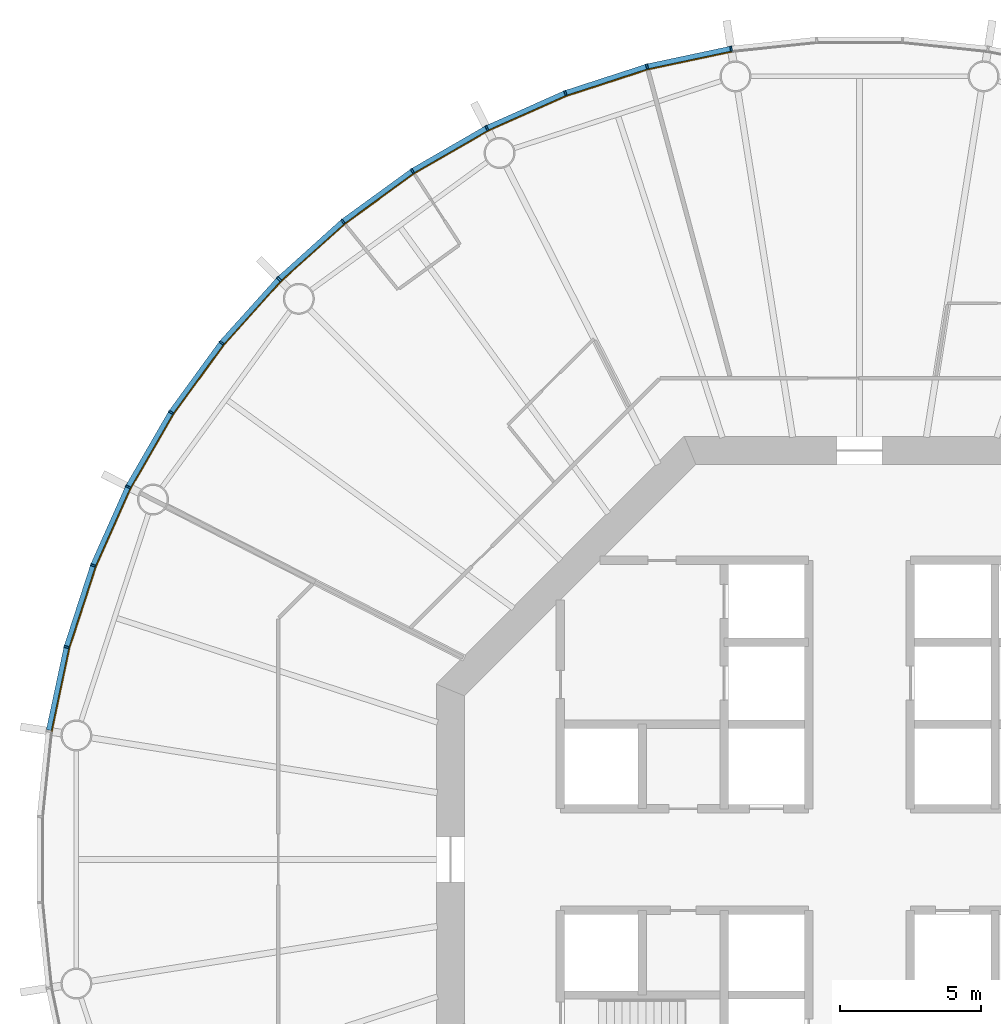
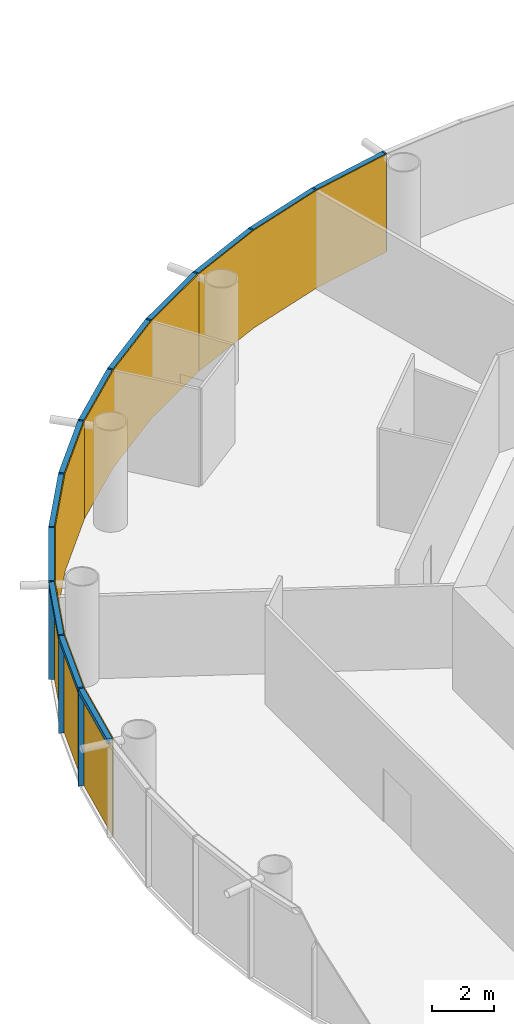
# One storey, part 9 of 12: 24 members, 4 curtain walls.
"""IFC4 building model written with IfcOpenShell, lengths in metres."""

import ifcopenshell
import ifcopenshell.guid

model = None  # the IFC model being written
_history = None  # IfcOwnerHistory: only IFC2X3 demands one
_inside = {}  # id of a spatial element -> (the spatial element, [elements in it])
_under = {}  # id of a project, library or spatial element -> (it, [spatial elements below it])
_declared = {}  # id of a project -> (the project, [libraries it declares])
_typed = {}  # id of a type object -> (the type object, [elements of that type])
_made_of = {}  # id of a material, layer set ... -> (it, [elements and type objects made of it])


def new_model(schema):
    """Start an empty IFC model of exactly this schema.

    Asked for "IFC4X3", IfcOpenShell would pick the latest addendum, in which some entities
    have other attributes; the version numbers below select the first issue.
    IFC2X3 requires an IfcOwnerHistory on every rooted entity: one is made here for all.
    """
    global model, _history
    if schema == "IFC4X3":
        model = ifcopenshell.file(schema_version=(4, 3, 0, 0))
    else:
        model = ifcopenshell.file(schema=schema)
    _inside.clear()
    _under.clear()
    _declared.clear()
    _typed.clear()
    _made_of.clear()
    _history = None
    if model.schema == "IFC2X3":
        org = make("IfcOrganization", Name="unknown")
        user = make(
            "IfcPersonAndOrganization",
            ThePerson=make("IfcPerson", FamilyName="unknown"),
            TheOrganization=org,
        )
        app = make(
            "IfcApplication",
            ApplicationDeveloper=org,
            Version="unknown",
            ApplicationFullName="unknown",
            ApplicationIdentifier="unknown",
        )
        _history = make(
            "IfcOwnerHistory",
            OwningUser=user,
            OwningApplication=app,
            ChangeAction="ADDED",
            CreationDate=0,
        )
    return model


def make(cls, **values):
    """One entity of the class cls with the attributes given. An attribute that is None is left unset."""
    return model.create_entity(
        cls, **{name: value for name, value in values.items() if value is not None}
    )


def rooted(cls, **values):
    """An entity with a GlobalId (a new one), such as an element, a storey or a relation."""
    return make(cls, GlobalId=ifcopenshell.guid.new(), OwnerHistory=_history, **values)


def si_unit(unit_type, name, prefix=None):
    """IfcSIUnit, for example si_unit("LENGTHUNIT", "METRE", prefix="MILLI")."""
    return make("IfcSIUnit", UnitType=unit_type, Prefix=prefix, Name=name)


def assignment(units):
    """IfcUnitAssignment: the units of a project."""
    return None if units is None else make("IfcUnitAssignment", Units=units)


def point(xyz):
    """IfcCartesianPoint."""
    return None if xyz is None else make("IfcCartesianPoint", Coordinates=xyz)


def direction(xyz):
    """IfcDirection."""
    return None if xyz is None else make("IfcDirection", DirectionRatios=xyz)


def frame(location, z_axis=None, x_axis=None):
    """IfcAxis2Placement3D, a coordinate frame: its origin and axes. An axis left out is left unset."""
    return make(
        "IfcAxis2Placement3D",
        Location=point(location),
        Axis=direction(z_axis),
        RefDirection=direction(x_axis),
    )


def frame_2d(location, x_axis=None):
    """IfcAxis2Placement2D, a coordinate frame in the plane: its origin and x axis."""
    return make(
        "IfcAxis2Placement2D", Location=point(location), RefDirection=direction(x_axis)
    )


def origin():
    """The frame at (0, 0, 0) with its axes left unset."""
    return frame((0.0, 0.0, 0.0))


def origin_2d():
    """The frame at (0, 0) in the plane with its x axis left unset."""
    return frame_2d((0.0, 0.0))


def place(relative_to, where):
    """IfcLocalPlacement: puts the frame where relative to a parent placement (None: the world)."""
    return make(
        "IfcLocalPlacement", PlacementRelTo=relative_to, RelativePlacement=where
    )


def context(
    kind, dimensions, precision=None, world=None, true_north=None, identifier=None
):
    """IfcGeometricRepresentationContext, for example the 3D "Model" context."""
    return make(
        "IfcGeometricRepresentationContext",
        ContextIdentifier=identifier,
        ContextType=kind,
        CoordinateSpaceDimension=dimensions,
        Precision=precision,
        WorldCoordinateSystem=world,
        TrueNorth=true_north,
    )


def subcontext(parent, identifier, kind, view, scale=None):
    """IfcGeometricRepresentationSubContext, for example "Body" below "Model"."""
    return make(
        "IfcGeometricRepresentationSubContext",
        ContextIdentifier=identifier,
        ContextType=kind,
        ParentContext=parent,
        TargetScale=scale,
        TargetView=view,
    )


def project(units=None, contexts=None):
    """IfcProject with its units and contexts."""
    return rooted(
        "IfcProject",
        Name="project",
        RepresentationContexts=contexts,
        UnitsInContext=assignment(units),
    )


def spatial(cls, under=None, at=None, **own):
    """A site, building, storey or space (cls), placed at a placement, below another one or the project."""
    s = rooted(cls, ObjectPlacement=at, **own)
    if under is not None:
        _under.setdefault(under.id(), (under, []))[1].append(s)
    return s


def polyline(points):
    """IfcPolyline through the points."""
    return make("IfcPolyline", Points=[point(p) for p in points])


def profile(cls, at=None, kind="AREA", **sizes):
    """A parametric profile (cls). Its sizes go by their IFC names, for example OverallWidth=200.0."""
    return make(cls, ProfileType=kind, Position=at, **sizes)


def rectangle(**sizes):
    """IfcRectangleProfileDef."""
    return profile("IfcRectangleProfileDef", **sizes)


def outline(outer, holes=None, kind="AREA"):
    """IfcArbitraryClosedProfileDef: a profile drawn as a closed curve; with holes, ...WithVoids."""
    if holes is None:
        return make("IfcArbitraryClosedProfileDef", ProfileType=kind, OuterCurve=outer)
    return make(
        "IfcArbitraryProfileDefWithVoids",
        ProfileType=kind,
        OuterCurve=outer,
        InnerCurves=holes,
    )


def extrude(swept, where, along, depth):
    """IfcExtrudedAreaSolid: the profile swept, set in the frame where, extruded along a direction by depth."""
    return make(
        "IfcExtrudedAreaSolid",
        SweptArea=swept,
        Position=where,
        ExtrudedDirection=direction(along),
        Depth=depth,
    )


def shape(context_of_items, identifier, shape_type, items):
    """IfcShapeRepresentation: the items that make up one representation, for example the "Body"."""
    return make(
        "IfcShapeRepresentation",
        ContextOfItems=context_of_items,
        RepresentationIdentifier=identifier,
        RepresentationType=shape_type,
        Items=items,
    )


def material(Name=None, Category=None):
    """IfcMaterial."""
    return make("IfcMaterial", Name=Name, Category=Category)


def layer(
    of_material, thickness, ventilated=None, Name=None, Category=None, Priority=None
):
    """IfcMaterialLayer: one layer of a wall or slab, of a material (None: an air gap)."""
    return make(
        "IfcMaterialLayer",
        Material=of_material,
        LayerThickness=thickness,
        IsVentilated=ventilated,
        Name=Name,
        Category=Category,
        Priority=Priority,
    )


def layer_set(layers, Name=None):
    """IfcMaterialLayerSet."""
    return make("IfcMaterialLayerSet", MaterialLayers=layers, LayerSetName=Name)


def material_profile(
    of_material, cross_section, Name=None, Category=None, Priority=None
):
    """IfcMaterialProfile: a cross section and its material."""
    return make(
        "IfcMaterialProfile",
        Name=Name,
        Material=of_material,
        Profile=cross_section,
        Priority=Priority,
        Category=Category,
    )


def profile_set(profiles, Name=None, composite=None):
    """IfcMaterialProfileSet."""
    return make(
        "IfcMaterialProfileSet",
        Name=Name,
        MaterialProfiles=profiles,
        CompositeProfile=composite,
    )


def made_of(thing, what):
    """Note that an element or type object is made of a material, layer set ...; save() writes the relation."""
    if what is not None:
        _made_of.setdefault(what.id(), (what, []))[1].append(thing)
    return thing


def type_object(cls, material=None, **own):
    """A type object (cls), such as IfcWallType, which elements share."""
    return made_of(rooted(cls, **own), material)


def element(
    cls,
    number,
    at=None,
    inside=None,
    cuts=None,
    type_object=None,
    material=None,
    context=None,
    identifier="Body",
    shape_type=None,
    held_by="IfcProductDefinitionShape",
    body=None,
    shapes=None,
    **own,
):
    """One element of the class cls, such as IfcWall. Its Tag is "e" and its number.

    at: its placement. inside: the storey or other place that contains it. cuts: it is an
    opening in that element (IfcRelVoidsElement). A single representation is given by context,
    identifier, shape_type and body (its items); several are given by shapes. held_by: the class
    of the entity that holds the representations. save() writes the other relations.
    """
    e = rooted(cls, Tag="e%d" % number, ObjectPlacement=at, **own)
    if body is not None:
        shapes = [shape(context, identifier, shape_type, body)]
    if shapes is not None:
        e.Representation = make(held_by, Representations=shapes)
    if inside is not None:
        _inside.setdefault(inside.id(), (inside, []))[1].append(e)
    if cuts is not None:
        rooted(
            "IfcRelVoidsElement", RelatingBuildingElement=cuts, RelatedOpeningElement=e
        )
    if type_object is not None:
        _typed.setdefault(type_object.id(), (type_object, []))[1].append(e)
    return made_of(e, material)


def aggregate(whole, parts):
    """IfcRelAggregates: a whole, such as a stair, and the parts it consists of."""
    return rooted("IfcRelAggregates", RelatingObject=whole, RelatedObjects=parts)


def save(model, path):
    """Write the relations noted so far, then the file.

    IfcRelAggregates (storeys below a building ...), IfcRelContainedInSpatialStructure (elements
    in a storey), IfcRelDefinesByType, IfcRelAssociatesMaterial and IfcRelDeclares: one each for
    every whole, place, type object, material and project.
    """
    for whole, parts in _under.values():
        aggregate(whole, parts)
    for where, things in _inside.values():
        rooted(
            "IfcRelContainedInSpatialStructure",
            RelatedElements=things,
            RelatingStructure=where,
        )
    for kind, things in _typed.values():
        rooted("IfcRelDefinesByType", RelatedObjects=things, RelatingType=kind)
    for what, things in _made_of.values():
        rooted("IfcRelAssociatesMaterial", RelatedObjects=things, RelatingMaterial=what)
    for by, libraries in _declared.values():
        rooted("IfcRelDeclares", RelatingContext=by, RelatedDefinitions=libraries)
    model.write(path)


model = new_model("IFC4")

# Units and contexts
model_context = context("Model", 3, precision=1e-05, world=origin(), true_north=direction((0.0, 1.0)))
body_context = subcontext(model_context, "Body", "Model", "MODEL_VIEW")
ifc_project = project(units=[si_unit("LENGTHUNIT", "METRE"), si_unit("AREAUNIT", "SQUARE_METRE"), si_unit("VOLUMEUNIT", "CUBIC_METRE"), si_unit("PLANEANGLEUNIT", "RADIAN"), si_unit("MASSUNIT", "GRAM", prefix="KILO")], contexts=[model_context])

# Member
ifc_material_1 = material(Name="Anodised aluminium", Category="aluminium")
ifc_material_profile_1 = material_profile(ifc_material_1, rectangle(XDim=0.06494140625, YDim=0.18505859375, at=origin_2d()), Name="Mullion 65 x 185 mm anodised aluminium")
ifc_profile_set_1 = profile_set([ifc_material_profile_1], Name="Anodised aluminium")
member_type_1 = type_object("IfcMemberType", Name="Mullion 65 x 185 mm anodised aluminium", PredefinedType="MULLION", material=ifc_profile_set_1)
site_placement = place(None, origin())
building_placement = place(site_placement, origin())
storey_placement = place(building_placement, frame((0.0, 0.0, 196.0)))
member_1_placement = place(storey_placement, frame((85.448974609375, 108.734375, 0.0), z_axis=(0.0, 0.0, 1.0), x_axis=(-0.987688340595, -0.15643446504, 0.0)))
member_1 = element("IfcMember", 1, at=member_1_placement, type_object=member_type_1, Name="MULLION L45-15", PredefinedType="MULLION", context=body_context, shape_type="SweptSolid", body=[
    extrude(rectangle(XDim=0.06494140625, YDim=0.18505859375, at=origin_2d()), origin(), (0.0, 0.0, 1.0), 3.85009765625),
])

member_2_placement = place(storey_placement, frame((82.47021484375, 108.101318359375, 0.0), z_axis=(0.0, 0.0, 1.0), x_axis=(-0.965925826289, -0.258819045103, 0.0)))
member_2 = element("IfcMember", 2, at=member_2_placement, type_object=member_type_1, Name="MULLION L45-16", PredefinedType="MULLION", context=body_context, shape_type="SweptSolid", body=[
    extrude(rectangle(XDim=0.06494140625, YDim=0.18505859375, at=origin_2d()), origin(), (0.0, 0.0, 1.0), 3.85009765625),
])

member_3_placement = place(storey_placement, frame((79.57421875, 107.16015625, 0.0), z_axis=(0.0, 0.0, 1.0), x_axis=(-0.933580426497, -0.358367949545, 0.0)))
member_3 = element("IfcMember", 3, at=member_3_placement, type_object=member_type_1, Name="MULLION L45-17", PredefinedType="MULLION", context=body_context, shape_type="SweptSolid", body=[
    extrude(rectangle(XDim=0.06494140625, YDim=0.18505859375, at=origin_2d()), origin(), (0.0, 0.0, 1.0), 3.85009765625),
])

member_4_placement = place(storey_placement, frame((76.792236328125, 105.921630859375, 0.0), z_axis=(0.0, 0.0, 1.0), x_axis=(-0.891006524188, -0.45399049974, 0.0)))
member_4 = element("IfcMember", 4, at=member_4_placement, type_object=member_type_1, Name="MULLION L45-18", PredefinedType="MULLION", context=body_context, shape_type="SweptSolid", body=[
    extrude(rectangle(XDim=0.06494140625, YDim=0.18505859375, at=origin_2d()), origin(), (0.0, 0.0, 1.0), 3.85009765625),
])

member_5_placement = place(storey_placement, frame((74.155029296875, 104.39892578125, 0.0), z_axis=(0.0, 0.0, 1.0), x_axis=(-0.838670567945, -0.544639035015, 0.0)))
member_5 = element("IfcMember", 5, at=member_5_placement, type_object=member_type_1, Name="MULLION L45-19", PredefinedType="MULLION", context=body_context, shape_type="SweptSolid", body=[
    extrude(rectangle(XDim=0.06494140625, YDim=0.18505859375, at=origin_2d()), origin(), (0.0, 0.0, 1.0), 3.85009765625),
])

member_6_placement = place(storey_placement, frame((71.69140625, 102.609130859375, 0.0), z_axis=(0.0, 0.0, 1.0), x_axis=(-0.777145961457, -0.62932039105, 0.0)))
member_6 = element("IfcMember", 6, at=member_6_placement, type_object=member_type_1, Name="MULLION L45-20", PredefinedType="MULLION", context=body_context, shape_type="SweptSolid", body=[
    extrude(rectangle(XDim=0.06494140625, YDim=0.18505859375, at=origin_2d()), origin(), (0.0, 0.0, 1.0), 3.85009765625),
])

member_7_placement = place(storey_placement, frame((69.428466796875, 100.571533203125, 0.0), z_axis=(0.0, 0.0, 1.0), x_axis=(-0.707106781187, -0.707106781187, 0.0)))
member_7 = element("IfcMember", 7, at=member_7_placement, type_object=member_type_1, Name="MULLION L45-21", PredefinedType="MULLION", context=body_context, shape_type="SweptSolid", body=[
    extrude(rectangle(XDim=0.06494140625, YDim=0.18505859375, at=origin_2d()), origin(), (0.0, 0.0, 1.0), 3.85009765625),
])

member_8_placement = place(storey_placement, frame((67.390869140625, 98.30859375, 0.0), z_axis=(0.0, 0.0, 1.0), x_axis=(-0.62932039105, -0.777145961457, 0.0)))
member_8 = element("IfcMember", 8, at=member_8_placement, type_object=member_type_1, Name="MULLION L45-22", PredefinedType="MULLION", context=body_context, shape_type="SweptSolid", body=[
    extrude(rectangle(XDim=0.06494140625, YDim=0.18505859375, at=origin_2d()), origin(), (0.0, 0.0, 1.0), 3.85009765625),
])

member_9_placement = place(storey_placement, frame((65.60107421875, 95.844970703125, 0.0), z_axis=(0.0, 0.0, 1.0), x_axis=(-0.544639035015, -0.838670567945, 0.0)))
member_9 = element("IfcMember", 9, at=member_9_placement, type_object=member_type_1, Name="MULLION L45-23", PredefinedType="MULLION", context=body_context, shape_type="SweptSolid", body=[
    extrude(rectangle(XDim=0.06494140625, YDim=0.18505859375, at=origin_2d()), origin(), (0.0, 0.0, 1.0), 3.85009765625),
])

member_10_placement = place(storey_placement, frame((64.078369140625, 93.207763671875, 0.0), z_axis=(0.0, 0.0, 1.0), x_axis=(-0.45399049974, -0.891006524188, 0.0)))
member_10 = element("IfcMember", 10, at=member_10_placement, type_object=member_type_1, Name="MULLION L45-24", PredefinedType="MULLION", context=body_context, shape_type="SweptSolid", body=[
    extrude(rectangle(XDim=0.06494140625, YDim=0.18505859375, at=origin_2d()), origin(), (0.0, 0.0, 1.0), 3.85009765625),
])

member_11_placement = place(storey_placement, frame((62.83984375, 90.42578125, 0.0), z_axis=(0.0, 0.0, 1.0), x_axis=(-0.358367949545, -0.933580426497, 0.0)))
member_11 = element("IfcMember", 11, at=member_11_placement, type_object=member_type_1, Name="MULLION L45-25", PredefinedType="MULLION", context=body_context, shape_type="SweptSolid", body=[
    extrude(rectangle(XDim=0.06494140625, YDim=0.18505859375, at=origin_2d()), origin(), (0.0, 0.0, 1.0), 3.85009765625),
])

member_12_placement = place(storey_placement, frame((61.898681640625, 87.52978515625, 0.0), z_axis=(0.0, 0.0, 1.0), x_axis=(-0.258819045103, -0.965925826289, 0.0)))
member_12 = element("IfcMember", 12, at=member_12_placement, type_object=member_type_1, Name="MULLION L45-26", PredefinedType="MULLION", context=body_context, shape_type="SweptSolid", body=[
    extrude(rectangle(XDim=0.06494140625, YDim=0.18505859375, at=origin_2d()), origin(), (0.0, 0.0, 1.0), 3.85009765625),
])

ifc_material_2 = material(Name="Anodised aluminium", Category="aluminium")
ifc_material_profile_2 = material_profile(ifc_material_2, rectangle(XDim=0.18505859375, YDim=0.175048828125, at=origin_2d()), Name="Transom 175 x 185 mm anodised aluminium")
ifc_profile_set_2 = profile_set([ifc_material_profile_2], Name="Anodised aluminium")
member_type_2 = type_object("IfcMemberType", Name="Transom 175 x 185 mm anodised aluminium", PredefinedType="USERDEFINED", material=ifc_profile_set_2)
member_13_placement = place(storey_placement, frame((85.412353515625, 108.7265625, 3.762451171875), z_axis=(-0.97815822425, -0.207861704825, 0.0), x_axis=(0.207861704825, -0.97815822425, 0.0)))
member_13 = element("IfcMember", 13, at=member_13_placement, type_object=member_type_2, Name="TRANSOM L45-15", ObjectType="TRANSOM", PredefinedType="USERDEFINED", context=body_context, shape_type="SweptSolid", body=[
    extrude(rectangle(XDim=0.18505859375, YDim=0.175048828125, at=origin_2d()), origin(), (0.0, 0.0, 1.0), 2.970458984375),
])

member_14_placement = place(storey_placement, frame((82.434814453125, 108.08984375, 3.762451171875), z_axis=(-0.951055809184, -0.30901917063, 0.0), x_axis=(0.30901917063, -0.951055809184, 0.0)))
member_14 = element("IfcMember", 14, at=member_14_placement, type_object=member_type_2, Name="TRANSOM L45-16", ObjectType="TRANSOM", PredefinedType="USERDEFINED", context=body_context, shape_type="SweptSolid", body=[
    extrude(rectangle(XDim=0.18505859375, YDim=0.175048828125, at=origin_2d()), origin(), (0.0, 0.0, 1.0), 2.970703125),
])

member_15_placement = place(storey_placement, frame((79.5400390625, 107.14501953125, 3.762451171875), z_axis=(-0.913567348806, -0.406687471156, 0.0), x_axis=(0.406687471156, -0.913567348806, 0.0)))
member_15 = element("IfcMember", 15, at=member_15_placement, type_object=member_type_2, Name="TRANSOM L45-17", ObjectType="TRANSOM", PredefinedType="USERDEFINED", context=body_context, shape_type="SweptSolid", body=[
    extrude(rectangle(XDim=0.18505859375, YDim=0.175048828125, at=origin_2d()), origin(), (0.0, 0.0, 1.0), 2.970458984375),
])

member_16_placement = place(storey_placement, frame((76.759765625, 105.903076171875, 3.762451171875), z_axis=(-0.866009025146, -0.500028367561, 0.0), x_axis=(0.500028367561, -0.866009025146, 0.0)))
member_16 = element("IfcMember", 16, at=member_16_placement, type_object=member_type_2, Name="TRANSOM L45-18", ObjectType="TRANSOM", PredefinedType="USERDEFINED", context=body_context, shape_type="SweptSolid", body=[
    extrude(rectangle(XDim=0.18505859375, YDim=0.175048828125, at=origin_2d()), origin(), (0.0, 0.0, 1.0), 2.970458984375),
])

member_17_placement = place(storey_placement, frame((74.124755859375, 104.377197265625, 3.762451171875), z_axis=(-0.808991906087, -0.587819781808, 0.0), x_axis=(0.587819781808, -0.808991906087, 0.0)))
member_17 = element("IfcMember", 17, at=member_17_placement, type_object=member_type_2, Name="TRANSOM L45-19", ObjectType="TRANSOM", PredefinedType="USERDEFINED", context=body_context, shape_type="SweptSolid", body=[
    extrude(rectangle(XDim=0.18505859375, YDim=0.175048828125, at=origin_2d()), origin(), (0.0, 0.0, 1.0), 2.970458984375),
])

member_18_placement = place(storey_placement, frame((71.66357421875, 102.584228515625, 3.762451171875), z_axis=(-0.743163354343, -0.669110027395, 0.0), x_axis=(0.669110027395, -0.743163354343, 0.0)))
member_18 = element("IfcMember", 18, at=member_18_placement, type_object=member_type_2, Name="TRANSOM L45-20", ObjectType="TRANSOM", PredefinedType="USERDEFINED", context=body_context, shape_type="SweptSolid", body=[
    extrude(rectangle(XDim=0.18505859375, YDim=0.175048828125, at=origin_2d()), origin(), (0.0, 0.0, 1.0), 2.970458984375),
])

member_19_placement = place(storey_placement, frame((69.4033203125, 100.5439453125, 3.762451171875), z_axis=(-0.669110027395, -0.743163354343, 0.0), x_axis=(0.743163354343, -0.669110027395, 0.0)))
member_19 = element("IfcMember", 19, at=member_19_placement, type_object=member_type_2, Name="TRANSOM L45-21", ObjectType="TRANSOM", PredefinedType="USERDEFINED", context=body_context, shape_type="SweptSolid", body=[
    extrude(rectangle(XDim=0.18505859375, YDim=0.175048828125, at=origin_2d()), origin(), (0.0, 0.0, 1.0), 2.970458984375),
])

member_20_placement = place(storey_placement, frame((67.368896484375, 98.2783203125, 3.762451171875), z_axis=(-0.587819781808, -0.808991906087, 0.0), x_axis=(0.808991906087, -0.587819781808, 0.0)))
member_20 = element("IfcMember", 20, at=member_20_placement, type_object=member_type_2, Name="TRANSOM L45-22", ObjectType="TRANSOM", PredefinedType="USERDEFINED", context=body_context, shape_type="SweptSolid", body=[
    extrude(rectangle(XDim=0.18505859375, YDim=0.175048828125, at=origin_2d()), origin(), (0.0, 0.0, 1.0), 2.970458984375),
])

member_21_placement = place(storey_placement, frame((65.582275390625, 95.812744140625, 3.762451171875), z_axis=(-0.500028367561, -0.866009025146, 0.0), x_axis=(0.866009025146, -0.500028367561, 0.0)))
member_21 = element("IfcMember", 21, at=member_21_placement, type_object=member_type_2, Name="TRANSOM L45-23", ObjectType="TRANSOM", PredefinedType="USERDEFINED", context=body_context, shape_type="SweptSolid", body=[
    extrude(rectangle(XDim=0.18505859375, YDim=0.175048828125, at=origin_2d()), origin(), (0.0, 0.0, 1.0), 2.970458984375),
])

member_22_placement = place(storey_placement, frame((64.06298828125, 93.173583984375, 3.762451171875), z_axis=(-0.406687471156, -0.913567348806, 0.0), x_axis=(0.913567348806, -0.406687471156, 0.0)))
member_22 = element("IfcMember", 22, at=member_22_placement, type_object=member_type_2, Name="TRANSOM L45-24", ObjectType="TRANSOM", PredefinedType="USERDEFINED", context=body_context, shape_type="SweptSolid", body=[
    extrude(rectangle(XDim=0.18505859375, YDim=0.175048828125, at=origin_2d()), origin(), (0.0, 0.0, 1.0), 2.970458984375),
])

member_23_placement = place(storey_placement, frame((62.828125, 90.390380859375, 3.762451171875), z_axis=(-0.30901917063, -0.951055809184, 0.0), x_axis=(0.951055809184, -0.30901917063, 0.0)))
member_23 = element("IfcMember", 23, at=member_23_placement, type_object=member_type_2, Name="TRANSOM L45-25", ObjectType="TRANSOM", PredefinedType="USERDEFINED", context=body_context, shape_type="SweptSolid", body=[
    extrude(rectangle(XDim=0.18505859375, YDim=0.175048828125, at=origin_2d()), origin(), (0.0, 0.0, 1.0), 2.970703125),
])

member_24_placement = place(storey_placement, frame((61.890869140625, 87.4931640625, 3.762451171875), z_axis=(-0.207861704825, -0.97815822425, 0.0), x_axis=(0.97815822425, -0.207861704825, 0.0)))
member_24 = element("IfcMember", 24, at=member_24_placement, type_object=member_type_2, Name="TRANSOM L45-26", ObjectType="TRANSOM", PredefinedType="USERDEFINED", context=body_context, shape_type="SweptSolid", body=[
    extrude(rectangle(XDim=0.18505859375, YDim=0.175048828125, at=origin_2d()), origin(), (0.0, 0.0, 1.0), 2.970458984375),
])

# Site, building, storey
site = spatial("IfcSite", under=ifc_project, at=site_placement, CompositionType="ELEMENT")
building = spatial("IfcBuilding", under=site, at=building_placement, Name="Entoto Ring Tower", CompositionType="ELEMENT")
storey = spatial("IfcBuildingStorey", under=building, at=storey_placement, Name="L45", CompositionType="ELEMENT", Elevation=196.0)

# Curtain wall
ifc_material_3 = material(Name="Clear low-iron glass", Category="glass")
ifc_layer = layer(ifc_material_3, 0.033935546875)
ifc_layer_set = layer_set([ifc_layer], Name="Clear low-iron glass")
curtain_wall_type = type_object("IfcCurtainWallType", Name="Curtain wall system CW3 glazing 34 mm", PredefinedType="NOTDEFINED", material=ifc_layer_set)
curtain_wall_1_placement = place(storey_placement, origin())
curtain_wall_1 = element("IfcCurtainWall", 25, at=curtain_wall_1_placement, inside=storey, type_object=curtain_wall_type, Name="CW3 L45-06", PredefinedType="NOTDEFINED", context=body_context, shape_type="SweptSolid", body=[
    extrude(outline(polyline([(85.46337890625, 108.64306640625), (82.494140625, 108.011962890625), (79.607421875, 107.07373046875), (76.834228515625, 105.839111328125), (76.849853515625, 105.808837890625), (79.61962890625, 107.0419921875), (82.503173828125, 107.97900390625), (85.46875, 108.609375), (85.46337890625, 108.64306640625)])), origin(), (0.0, 0.0, 1.0), 3.85009765625),
])

aggregate(curtain_wall_1, [member_1, member_2, member_3, member_13, member_14, member_15])

curtain_wall_2_placement = place(storey_placement, origin())
curtain_wall_2 = element("IfcCurtainWall", 26, at=curtain_wall_2_placement, inside=storey, type_object=curtain_wall_type, Name="CW3 L45-07", PredefinedType="NOTDEFINED", context=body_context, shape_type="SweptSolid", body=[
    extrude(outline(polyline([(76.834228515625, 105.839111328125), (74.20556640625, 104.321533203125), (71.749755859375, 102.537353515625), (69.493896484375, 100.506103515625), (69.51806640625, 100.48193359375), (71.771240234375, 102.5107421875), (74.22412109375, 104.29296875), (76.849853515625, 105.808837890625), (76.834228515625, 105.839111328125)])), origin(), (0.0, 0.0, 1.0), 3.85009765625),
])

aggregate(curtain_wall_2, [member_4, member_5, member_6, member_16, member_17, member_18])

curtain_wall_3_placement = place(storey_placement, origin())
curtain_wall_3 = element("IfcCurtainWall", 27, at=curtain_wall_3_placement, inside=storey, type_object=curtain_wall_type, Name="CW3 L45-08", PredefinedType="NOTDEFINED", context=body_context, shape_type="SweptSolid", body=[
    extrude(outline(polyline([(69.493896484375, 100.506103515625), (67.462646484375, 98.250244140625), (65.678466796875, 95.79443359375), (64.160888671875, 93.165771484375), (64.191162109375, 93.150146484375), (65.70703125, 95.77587890625), (67.4892578125, 98.228759765625), (69.51806640625, 100.48193359375), (69.493896484375, 100.506103515625)])), origin(), (0.0, 0.0, 1.0), 3.85009765625),
])

aggregate(curtain_wall_3, [member_7, member_8, member_9, member_19, member_20, member_21])

curtain_wall_4_placement = place(storey_placement, origin())
curtain_wall_4 = element("IfcCurtainWall", 28, at=curtain_wall_4_placement, inside=storey, type_object=curtain_wall_type, Name="CW3 L45-09", PredefinedType="NOTDEFINED", context=body_context, shape_type="SweptSolid", body=[
    extrude(outline(polyline([(64.160888671875, 93.165771484375), (62.92626953125, 90.392578125), (61.988037109375, 87.505859375), (61.35693359375, 84.53662109375), (61.390625, 84.53125), (62.02099609375, 87.496826171875), (62.9580078125, 90.38037109375), (64.191162109375, 93.150146484375), (64.160888671875, 93.165771484375)])), origin(), (0.0, 0.0, 1.0), 3.85009765625),
])

aggregate(curtain_wall_4, [member_10, member_11, member_12, member_22, member_23, member_24])

save(model, "model.ifc")
